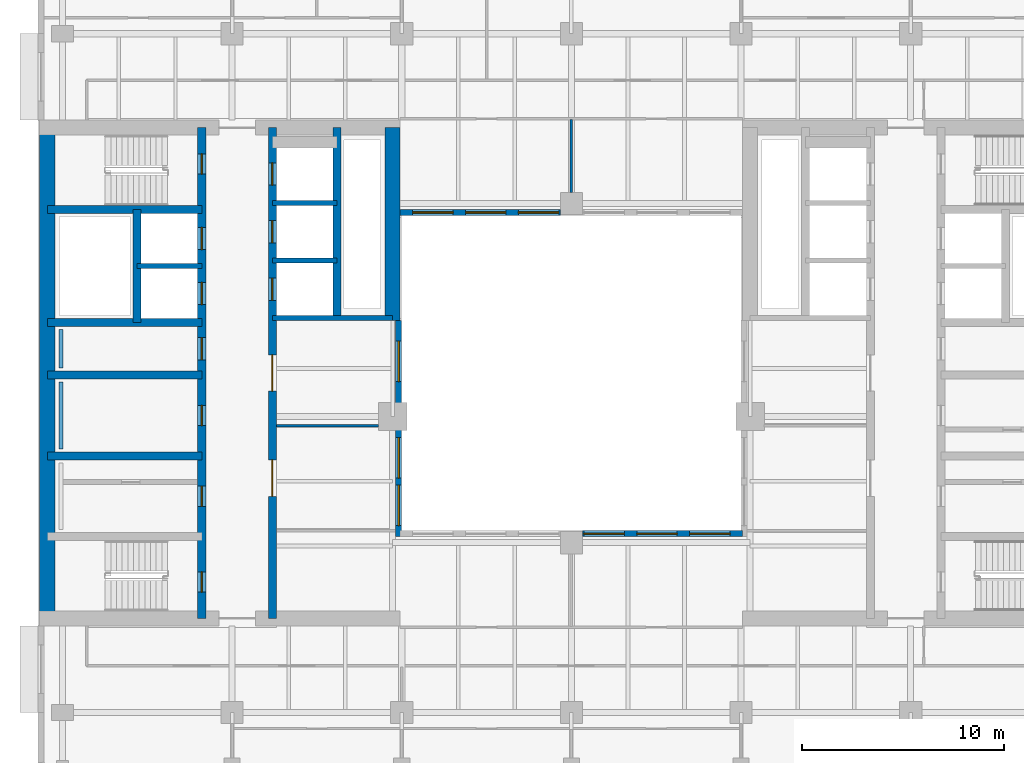
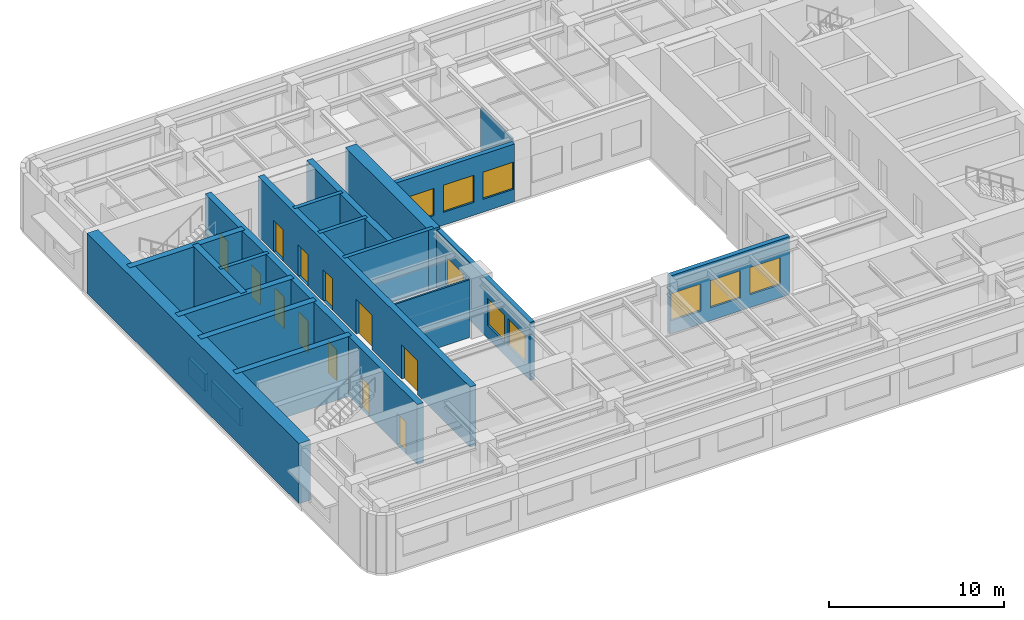
# One storey, part 4 of 11: 21 walls, 12 doors, 9 windows, 21 openings.
"""IFC4 building model written with IfcOpenShell, lengths in metres."""

from ifc_helpers import new_model, si_unit, direction, frame, frame_2d, origin, place, context, subcontext, project, spatial, rectangle, extrude, material, layer, layer_set, type_object, element, fill, save


model = new_model("IFC4")

# Units and contexts
model_context = context("Model", 3, precision=1e-05, world=origin(), true_north=direction((0.0, 1.0)))
body_context = subcontext(model_context, "Body", "Model", "MODEL_VIEW")
ifc_project = project(units=[si_unit("LENGTHUNIT", "METRE"), si_unit("AREAUNIT", "SQUARE_METRE"), si_unit("VOLUMEUNIT", "CUBIC_METRE"), si_unit("PLANEANGLEUNIT", "RADIAN"), si_unit("MASSUNIT", "GRAM", prefix="KILO")], contexts=[model_context])

# Site, building, storey
site_placement = place(None, origin())
site = spatial("IfcSite", under=ifc_project, at=site_placement, CompositionType="ELEMENT")
building_placement = place(site_placement, origin())
building = spatial("IfcBuilding", under=site, at=building_placement, Name="Claustro Exchange Tower", CompositionType="ELEMENT")
storey_placement = place(building_placement, frame((0.0, 0.0, 211.199951171875)))
storey = spatial("IfcBuildingStorey", under=building, at=storey_placement, Name="L48", CompositionType="ELEMENT", Elevation=211.199951171875)

# Walls
ifc_material_1 = material(Name="Laminated glass in aluminium frame", Category="aluminium")
ifc_layer_1 = layer(ifc_material_1, 0.1201171875)
ifc_layer_set_1 = layer_set([ifc_layer_1], Name="Laminated glass in aluminium frame")
wall_type_1 = type_object("IfcWallType", Name="P2 120 glazed partition", PredefinedType="PARTITIONING", material=ifc_layer_set_1)
wall_1_placement = place(storey_placement, frame((10.597900390625, 22.60009765625, 0.0), z_axis=(0.0, 0.0, 1.0), x_axis=(1.0, 0.0, 0.0)))
element("IfcWall", 1, at=wall_1_placement, inside=storey, type_object=wall_type_1, Name="Partition P2 L48", PredefinedType="PARTITIONING", context=body_context, shape_type="SweptSolid", body=[
    extrude(rectangle(XDim=5.052978515625, YDim=0.1201171875, at=frame_2d((2.5263671875, 0.0))), origin(), (0.0, 0.0, 1.0), 4.050048828125),
])
wall_2_placement = place(storey_placement, frame((25.199951171875, 34.14892578125, 0.0), z_axis=(0.0, 0.0, 1.0), x_axis=(0.0, 1.0, 0.0)))
element("IfcWall", 2, at=wall_2_placement, inside=storey, type_object=wall_type_1, Name="Partition P2 L48", PredefinedType="PARTITIONING", context=body_context, shape_type="SweptSolid", body=[
    extrude(rectangle(XDim=3.593017578125, YDim=0.1201171875, at=frame_2d((1.79638671875, 0.0))), origin(), (0.0, 0.0, 1.0), 3.550048828125),
])

# Wall, openings, windows
ifc_material_2 = material(Name="Concrete HA-40 (C40/50), precast, white cement, acid-etched", Category="concrete")
ifc_layer_2 = layer(ifc_material_2, 0.300048828125)
ifc_layer_set_2 = layer_set([ifc_layer_2], Name="Concrete HA-40 (C40/50), precast, white cement, acid-etched")
wall_type_2 = type_object("IfcWallType", Name="PC1 300 precast concrete pier panel", PredefinedType="SOLIDWALL", material=ifc_layer_set_2)
wall_3_placement = place(storey_placement, frame((16.64990234375, 17.10009765625, 0.0), z_axis=(0.0, 0.0, 1.0), x_axis=(0.0, 1.0, 0.0)))
wall_3 = element("IfcWall", 3, at=wall_3_placement, inside=storey, type_object=wall_type_2, Name="Precast pier panel PC1 L48", PredefinedType="SOLIDWALL", context=body_context, shape_type="SweptSolid", body=[
    extrude(rectangle(XDim=10.699951171875, YDim=0.300048828125, at=frame_2d((5.35009765625, 0.0))), origin(), (0.0, 0.0, 1.0), 4.050048828125),
])
opening_1_placement = place(wall_3_placement, frame((0.550048828125, 0.0, 0.89990234375)))
opening_1 = element("IfcOpeningElement", 4, at=opening_1_placement, cuts=wall_3, Name="Opening W4", PredefinedType="OPENING", context=body_context, shape_type="SweptSolid", body=[
    extrude(rectangle(XDim=2.0, YDim=1.89990234375, at=frame_2d((1.0, 0.949951171875))), frame((0.0, 0.159912109375, 0.0), z_axis=(0.0, -1.0, 0.0), x_axis=(1.0, 0.0, 0.0)), (0.0, 0.0, 1.0), 0.320068359375),
])
opening_2_placement = place(wall_3_placement, frame((2.89990234375, 0.0, 0.89990234375)))
opening_2 = element("IfcOpeningElement", 5, at=opening_2_placement, cuts=wall_3, Name="Opening W4", PredefinedType="OPENING", context=body_context, shape_type="SweptSolid", body=[
    extrude(rectangle(XDim=2.0, YDim=1.89990234375, at=frame_2d((1.0, 0.949951171875))), frame((0.0, 0.159912109375, 0.0), z_axis=(0.0, -1.0, 0.0), x_axis=(1.0, 0.0, 0.0)), (0.0, 0.0, 1.0), 0.320068359375),
])
opening_3_placement = place(wall_3_placement, frame((7.675048828125, 0.0, 0.89990234375)))
opening_3 = element("IfcOpeningElement", 6, at=opening_3_placement, cuts=wall_3, Name="Opening W4", PredefinedType="OPENING", context=body_context, shape_type="SweptSolid", body=[
    extrude(rectangle(XDim=2.0, YDim=1.89990234375, at=frame_2d((1.0, 0.949951171875))), frame((0.0, 0.159912109375, 0.0), z_axis=(0.0, -1.0, 0.0), x_axis=(1.0, 0.0, 0.0)), (0.0, 0.0, 1.0), 0.320068359375),
])
ifc_material_3 = material(Name="Aluminium frame, clear double glazing", Category="aluminium")
window_type = type_object("IfcWindowType", Name="W4 2000 x 1900 light well window", PartitioningType="SINGLE_PANEL", PredefinedType="WINDOW", material=ifc_material_3)
window_1_placement = place(opening_1_placement, origin())
window_1 = element("IfcWindow", 7, at=window_1_placement, inside=storey, type_object=window_type, Name="Window W4 L48", OverallHeight=1.89990234375, OverallWidth=2.0, PartitioningType="SINGLE_PANEL", PredefinedType="WINDOW", context=body_context, shape_type="SweptSolid", body=[
    extrude(rectangle(XDim=2.0, YDim=1.89990234375, at=frame_2d((1.0, 0.949951171875))), frame((0.0, 0.030029296875, 0.0), z_axis=(0.0, -1.0, 0.0), x_axis=(1.0, 0.0, 0.0)), (0.0, 0.0, 1.0), 0.06005859375),
])
fill(opening_1, window_1)
window_2_placement = place(opening_2_placement, origin())
window_2 = element("IfcWindow", 8, at=window_2_placement, inside=storey, type_object=window_type, Name="Window W4 L48", OverallHeight=1.89990234375, OverallWidth=2.0, PartitioningType="SINGLE_PANEL", PredefinedType="WINDOW", context=body_context, shape_type="SweptSolid", body=[
    extrude(rectangle(XDim=2.0, YDim=1.89990234375, at=frame_2d((1.0, 0.949951171875))), frame((0.0, 0.030029296875, 0.0), z_axis=(0.0, -1.0, 0.0), x_axis=(1.0, 0.0, 0.0)), (0.0, 0.0, 1.0), 0.06005859375),
])
fill(opening_2, window_2)
window_3_placement = place(opening_3_placement, origin())
window_3 = element("IfcWindow", 9, at=window_3_placement, inside=storey, type_object=window_type, Name="Window W4 L48", OverallHeight=1.89990234375, OverallWidth=2.0, PartitioningType="SINGLE_PANEL", PredefinedType="WINDOW", context=body_context, shape_type="SweptSolid", body=[
    extrude(rectangle(XDim=2.0, YDim=1.89990234375, at=frame_2d((1.0, 0.949951171875))), frame((0.0, 0.030029296875, 0.0), z_axis=(0.0, -1.0, 0.0), x_axis=(1.0, 0.0, 0.0)), (0.0, 0.0, 1.0), 0.06005859375),
])
fill(opening_3, window_3)

wall_4_placement = place(storey_placement, frame((25.75, 17.25, 0.0), z_axis=(0.0, 0.0, 1.0), x_axis=(1.0, 0.0, 0.0)))
wall_4 = element("IfcWall", 10, at=wall_4_placement, inside=storey, type_object=wall_type_2, Name="Precast pier panel PC1 L48", PredefinedType="SOLIDWALL", context=body_context, shape_type="SweptSolid", body=[
    extrude(rectangle(XDim=7.925048828125, YDim=0.300048828125, at=frame_2d((3.96240234375, 0.0))), origin(), (0.0, 0.0, 1.0), 4.050048828125),
])
opening_4_placement = place(wall_4_placement, frame((0.068603515625, 0.0, 0.89990234375)))
opening_4 = element("IfcOpeningElement", 11, at=opening_4_placement, cuts=wall_4, Name="Opening W4", PredefinedType="OPENING", context=body_context, shape_type="SweptSolid", body=[
    extrude(rectangle(XDim=2.0, YDim=1.89990234375, at=frame_2d((1.0, 0.949951171875))), frame((0.0, 0.159912109375, 0.0), z_axis=(0.0, -1.0, 0.0), x_axis=(1.0, 0.0, 0.0)), (0.0, 0.0, 1.0), 0.320068359375),
])
opening_5_placement = place(wall_4_placement, frame((2.6875, 0.0, 0.89990234375)))
opening_5 = element("IfcOpeningElement", 12, at=opening_5_placement, cuts=wall_4, Name="Opening W4", PredefinedType="OPENING", context=body_context, shape_type="SweptSolid", body=[
    extrude(rectangle(XDim=2.0, YDim=1.89990234375, at=frame_2d((1.0, 0.949951171875))), frame((0.0, 0.159912109375, 0.0), z_axis=(0.0, -1.0, 0.0), x_axis=(1.0, 0.0, 0.0)), (0.0, 0.0, 1.0), 0.320068359375),
])
opening_6_placement = place(wall_4_placement, frame((5.30615234375, 0.0, 0.89990234375)))
opening_6 = element("IfcOpeningElement", 13, at=opening_6_placement, cuts=wall_4, Name="Opening W4", PredefinedType="OPENING", context=body_context, shape_type="SweptSolid", body=[
    extrude(rectangle(XDim=2.0, YDim=1.89990234375, at=frame_2d((1.0, 0.949951171875))), frame((0.0, 0.159912109375, 0.0), z_axis=(0.0, -1.0, 0.0), x_axis=(1.0, 0.0, 0.0)), (0.0, 0.0, 1.0), 0.320068359375),
])
window_4_placement = place(opening_4_placement, origin())
window_4 = element("IfcWindow", 14, at=window_4_placement, inside=storey, type_object=window_type, Name="Window W4 L48", OverallHeight=1.89990234375, OverallWidth=2.0, PartitioningType="SINGLE_PANEL", PredefinedType="WINDOW", context=body_context, shape_type="SweptSolid", body=[
    extrude(rectangle(XDim=2.0, YDim=1.89990234375, at=frame_2d((1.0, 0.949951171875))), frame((0.0, 0.030029296875, 0.0), z_axis=(0.0, -1.0, 0.0), x_axis=(1.0, 0.0, 0.0)), (0.0, 0.0, 1.0), 0.06005859375),
])
fill(opening_4, window_4)
window_5_placement = place(opening_5_placement, origin())
window_5 = element("IfcWindow", 15, at=window_5_placement, inside=storey, type_object=window_type, Name="Window W4 L48", OverallHeight=1.89990234375, OverallWidth=2.0, PartitioningType="SINGLE_PANEL", PredefinedType="WINDOW", context=body_context, shape_type="SweptSolid", body=[
    extrude(rectangle(XDim=2.0, YDim=1.89990234375, at=frame_2d((1.0, 0.949951171875))), frame((0.0, 0.030029296875, 0.0), z_axis=(0.0, -1.0, 0.0), x_axis=(1.0, 0.0, 0.0)), (0.0, 0.0, 1.0), 0.06005859375),
])
fill(opening_5, window_5)
window_6_placement = place(opening_6_placement, origin())
window_6 = element("IfcWindow", 16, at=window_6_placement, inside=storey, type_object=window_type, Name="Window W4 L48", OverallHeight=1.89990234375, OverallWidth=2.0, PartitioningType="SINGLE_PANEL", PredefinedType="WINDOW", context=body_context, shape_type="SweptSolid", body=[
    extrude(rectangle(XDim=2.0, YDim=1.89990234375, at=frame_2d((1.0, 0.949951171875))), frame((0.0, 0.030029296875, 0.0), z_axis=(0.0, -1.0, 0.0), x_axis=(1.0, 0.0, 0.0)), (0.0, 0.0, 1.0), 0.06005859375),
])
fill(opening_6, window_6)

wall_5_placement = place(storey_placement, frame((16.72509765625, 33.14990234375, 0.0), z_axis=(0.0, 0.0, 1.0), x_axis=(1.0, 0.0, 0.0)))
wall_5 = element("IfcWall", 17, at=wall_5_placement, inside=storey, type_object=wall_type_2, Name="Precast pier panel PC1 L48", PredefinedType="SOLIDWALL", context=body_context, shape_type="SweptSolid", body=[
    extrude(rectangle(XDim=7.9248046875, YDim=0.300048828125, at=frame_2d((3.96240234375, 0.0))), origin(), (0.0, 0.0, 1.0), 4.050048828125),
])
opening_7_placement = place(wall_5_placement, frame((0.61865234375, 0.0, 0.89990234375)))
opening_7 = element("IfcOpeningElement", 18, at=opening_7_placement, cuts=wall_5, Name="Opening W4", PredefinedType="OPENING", context=body_context, shape_type="SweptSolid", body=[
    extrude(rectangle(XDim=2.0, YDim=1.89990234375, at=frame_2d((1.0, 0.949951171875))), frame((0.0, 0.159912109375, 0.0), z_axis=(0.0, -1.0, 0.0), x_axis=(1.0, 0.0, 0.0)), (0.0, 0.0, 1.0), 0.320068359375),
])
opening_8_placement = place(wall_5_placement, frame((3.237548828125, 0.0, 0.89990234375)))
opening_8 = element("IfcOpeningElement", 19, at=opening_8_placement, cuts=wall_5, Name="Opening W4", PredefinedType="OPENING", context=body_context, shape_type="SweptSolid", body=[
    extrude(rectangle(XDim=2.0, YDim=1.89990234375, at=frame_2d((1.0, 0.949951171875))), frame((0.0, 0.159912109375, 0.0), z_axis=(0.0, -1.0, 0.0), x_axis=(1.0, 0.0, 0.0)), (0.0, 0.0, 1.0), 0.320068359375),
])
opening_9_placement = place(wall_5_placement, frame((5.856201171875, 0.0, 0.89990234375)))
opening_9 = element("IfcOpeningElement", 20, at=opening_9_placement, cuts=wall_5, Name="Opening W4", PredefinedType="OPENING", context=body_context, shape_type="SweptSolid", body=[
    extrude(rectangle(XDim=2.0, YDim=1.89990234375, at=frame_2d((1.0, 0.949951171875))), frame((0.0, 0.159912109375, 0.0), z_axis=(0.0, -1.0, 0.0), x_axis=(1.0, 0.0, 0.0)), (0.0, 0.0, 1.0), 0.320068359375),
])
window_7_placement = place(opening_7_placement, origin())
window_7 = element("IfcWindow", 21, at=window_7_placement, inside=storey, type_object=window_type, Name="Window W4 L48", OverallHeight=1.89990234375, OverallWidth=2.0, PartitioningType="SINGLE_PANEL", PredefinedType="WINDOW", context=body_context, shape_type="SweptSolid", body=[
    extrude(rectangle(XDim=2.0, YDim=1.89990234375, at=frame_2d((1.0, 0.949951171875))), frame((0.0, 0.030029296875, 0.0), z_axis=(0.0, -1.0, 0.0), x_axis=(1.0, 0.0, 0.0)), (0.0, 0.0, 1.0), 0.06005859375),
])
fill(opening_7, window_7)
window_8_placement = place(opening_8_placement, origin())
window_8 = element("IfcWindow", 22, at=window_8_placement, inside=storey, type_object=window_type, Name="Window W4 L48", OverallHeight=1.89990234375, OverallWidth=2.0, PartitioningType="SINGLE_PANEL", PredefinedType="WINDOW", context=body_context, shape_type="SweptSolid", body=[
    extrude(rectangle(XDim=2.0, YDim=1.89990234375, at=frame_2d((1.0, 0.949951171875))), frame((0.0, 0.030029296875, 0.0), z_axis=(0.0, -1.0, 0.0), x_axis=(1.0, 0.0, 0.0)), (0.0, 0.0, 1.0), 0.06005859375),
])
fill(opening_8, window_8)
window_9_placement = place(opening_9_placement, origin())
window_9 = element("IfcWindow", 23, at=window_9_placement, inside=storey, type_object=window_type, Name="Window W4 L48", OverallHeight=1.89990234375, OverallWidth=2.0, PartitioningType="SINGLE_PANEL", PredefinedType="WINDOW", context=body_context, shape_type="SweptSolid", body=[
    extrude(rectangle(XDim=2.0, YDim=1.89990234375, at=frame_2d((1.0, 0.949951171875))), frame((0.0, 0.030029296875, 0.0), z_axis=(0.0, -1.0, 0.0), x_axis=(1.0, 0.0, 0.0)), (0.0, 0.0, 1.0), 0.06005859375),
])
fill(opening_9, window_9)

# Walls
ifc_material_4 = material(Name="Gypsum board on steel studs, tiled", Category="steel")
ifc_layer_3 = layer(ifc_material_4, 0.199951171875)
ifc_layer_set_3 = layer_set([ifc_layer_3], Name="Gypsum board on steel studs, tiled")
wall_type_3 = type_object("IfcWallType", Name="PW1 200 WC duct wall", PredefinedType="PLUMBINGWALL", material=ifc_layer_set_3)
wall_6_placement = place(storey_placement, frame((-0.074951171875, 21.449951171875, 0.0), z_axis=(0.0, 0.0, 1.0), x_axis=(0.0, 1.0, 0.0)))
element("IfcWall", 24, at=wall_6_placement, inside=storey, type_object=wall_type_3, Name="WC duct wall PW1 L48", PredefinedType="PLUMBINGWALL", context=body_context, shape_type="SweptSolid", body=[
    extrude(rectangle(XDim=3.300048828125, YDim=0.199951171875, at=frame_2d((1.64990234375, 0.0))), origin(), (0.0, 0.0, 1.0), 1.199951171875),
])
wall_7_placement = place(storey_placement, frame((-0.074951171875, 25.449951171875, 0.0), z_axis=(0.0, 0.0, 1.0), x_axis=(0.0, 1.0, 0.0)))
element("IfcWall", 25, at=wall_7_placement, inside=storey, type_object=wall_type_3, Name="WC duct wall PW1 L48", PredefinedType="PLUMBINGWALL", context=body_context, shape_type="SweptSolid", body=[
    extrude(rectangle(XDim=1.900146484375, YDim=0.199951171875, at=frame_2d((0.9501953125, 0.0))), origin(), (0.0, 0.0, 1.0), 1.199951171875),
])
ifc_material_5 = material(Name="Concrete HA-70 (C70/85)", Category="concrete")
ifc_layer_4 = layer(ifc_material_5, 0.75)
ifc_layer_set_4 = layer_set([ifc_layer_4], Name="Concrete HA-70 (C70/85)")
wall_type_4 = type_object("IfcWallType", Name="SW2X 750 exposed core shear wall, board-marked face", PredefinedType="SHEAR", material=ifc_layer_set_4)
wall_8_placement = place(storey_placement, frame((-0.75, 13.050048828125, 0.0), z_axis=(0.0, 0.0, 1.0), x_axis=(0.0, 1.0, 0.0)))
element("IfcWall", 26, at=wall_8_placement, inside=storey, type_object=wall_type_4, Name="Core wall SW2X W core W face L48", PredefinedType="SHEAR", context=body_context, shape_type="SweptSolid", body=[
    extrude(rectangle(XDim=24.300048828125, YDim=0.75, at=frame_2d((12.14990234375, 0.0))), origin(), (0.0, 0.0, 1.0), 4.199951171875),
])
wall_9_placement = place(storey_placement, frame((16.35009765625, 27.800048828125, 0.0), z_axis=(0.0, 0.0, 1.0), x_axis=(0.0, 1.0, 0.0)))
element("IfcWall", 27, at=wall_9_placement, inside=storey, type_object=wall_type_4, Name="Core wall SW2X W core E face L48", PredefinedType="SHEAR", context=body_context, shape_type="SweptSolid", body=[
    extrude(rectangle(XDim=9.550048828125, YDim=0.75, at=frame_2d((4.77490234375, 0.0))), origin(), (0.0, 0.0, 1.0), 4.199951171875),
])

# Wall, openings, doors
ifc_material_6 = material(Name="Concrete HA-50 (C50/60)", Category="concrete")
ifc_layer_5 = layer(ifc_material_6, 0.39990234375)
ifc_layer_set_5 = layer_set([ifc_layer_5], Name="Concrete HA-50 (C50/60)")
wall_type_5 = type_object("IfcWallType", Name="SW4 400 internal core wall", PredefinedType="SHEAR", material=ifc_layer_set_5)
wall_10_placement = place(storey_placement, frame((6.89990234375, 13.050048828125, 0.0), z_axis=(0.0, 0.0, 1.0), x_axis=(0.0, 1.0, 0.0)))
wall_10 = element("IfcWall", 28, at=wall_10_placement, inside=storey, type_object=wall_type_5, Name="Internal core wall SW4 W core L48", PredefinedType="SHEAR", context=body_context, shape_type="SweptSolid", body=[
    extrude(rectangle(XDim=24.300048828125, YDim=0.39990234375, at=frame_2d((12.14990234375, 0.0))), origin(), (0.0, 0.0, 1.0), 4.199951171875),
])
opening_10_placement = place(wall_10_placement, frame((1.300048828125, 0.0, 0.0)))
opening_10 = element("IfcOpeningElement", 29, at=opening_10_placement, cuts=wall_10, Name="Opening D4", PredefinedType="OPENING", context=body_context, shape_type="SweptSolid", body=[
    extrude(rectangle(XDim=1.0, YDim=2.199951171875, at=frame_2d((0.5, 1.10009765625))), frame((0.0, 0.2099609375, 0.0), z_axis=(0.0, -1.0, 0.0), x_axis=(1.0, 0.0, 0.0)), (0.0, 0.0, 1.0), 0.419921875),
])
opening_11_placement = place(wall_10_placement, frame((22.0, 0.0, 0.0)))
opening_11 = element("IfcOpeningElement", 30, at=opening_11_placement, cuts=wall_10, Name="Opening D4", PredefinedType="OPENING", context=body_context, shape_type="SweptSolid", body=[
    extrude(rectangle(XDim=1.0, YDim=2.199951171875, at=frame_2d((0.5, 1.10009765625))), frame((0.0, 0.2099609375, 0.0), z_axis=(0.0, -1.0, 0.0), x_axis=(1.0, 0.0, 0.0)), (0.0, 0.0, 1.0), 0.419921875),
])
opening_12_placement = place(wall_10_placement, frame((5.550048828125, 0.0, 0.0)))
opening_12 = element("IfcOpeningElement", 31, at=opening_12_placement, cuts=wall_10, Name="Opening D1", PredefinedType="OPENING", context=body_context, shape_type="SweptSolid", body=[
    extrude(rectangle(XDim=1.0, YDim=2.199951171875, at=frame_2d((0.5, 1.10009765625))), frame((0.0, 0.2099609375, 0.0), z_axis=(0.0, -1.0, 0.0), x_axis=(1.0, 0.0, 0.0)), (0.0, 0.0, 1.0), 0.419921875),
])
opening_13_placement = place(wall_10_placement, frame((9.550048828125, 0.0, 0.0)))
opening_13 = element("IfcOpeningElement", 32, at=opening_13_placement, cuts=wall_10, Name="Opening D1", PredefinedType="OPENING", context=body_context, shape_type="SweptSolid", body=[
    extrude(rectangle(XDim=1.0, YDim=2.199951171875, at=frame_2d((0.5, 1.10009765625))), frame((0.0, 0.2099609375, 0.0), z_axis=(0.0, -1.0, 0.0), x_axis=(1.0, 0.0, 0.0)), (0.0, 0.0, 1.0), 0.419921875),
])
opening_14_placement = place(wall_10_placement, frame((12.800048828125, 0.0, 0.0)))
opening_14 = element("IfcOpeningElement", 33, at=opening_14_placement, cuts=wall_10, Name="Opening D10", PredefinedType="OPENING", context=body_context, shape_type="SweptSolid", body=[
    extrude(rectangle(XDim=1.10009765625, YDim=2.199951171875, at=frame_2d((0.550048828125, 1.10009765625))), frame((0.0, 0.2099609375, 0.0), z_axis=(0.0, -1.0, 0.0), x_axis=(1.0, 0.0, 0.0)), (0.0, 0.0, 1.0), 0.419921875),
])
opening_15_placement = place(wall_10_placement, frame((15.53759765625, 0.0, 0.0)))
opening_15 = element("IfcOpeningElement", 34, at=opening_15_placement, cuts=wall_10, Name="Opening LD", PredefinedType="OPENING", context=body_context, shape_type="SweptSolid", body=[
    extrude(rectangle(XDim=1.10009765625, YDim=2.199951171875, at=frame_2d((0.550048828125, 1.10009765625))), frame((0.0, 0.2099609375, 0.0), z_axis=(0.0, -1.0, 0.0), x_axis=(1.0, 0.0, 0.0)), (0.0, 0.0, 1.0), 0.419921875),
])
opening_16_placement = place(wall_10_placement, frame((18.262451171875, 0.0, 0.0)))
opening_16 = element("IfcOpeningElement", 35, at=opening_16_placement, cuts=wall_10, Name="Opening LD", PredefinedType="OPENING", context=body_context, shape_type="SweptSolid", body=[
    extrude(rectangle(XDim=1.10009765625, YDim=2.199951171875, at=frame_2d((0.550048828125, 1.10009765625))), frame((0.0, 0.2099609375, 0.0), z_axis=(0.0, -1.0, 0.0), x_axis=(1.0, 0.0, 0.0)), (0.0, 0.0, 1.0), 0.419921875),
])
ifc_material_7 = material(Name="Timber door, oak veneer", Category="wood")
door_type_1 = type_object("IfcDoorType", Name="D1 1000 x 2200 single door", OperationType="SINGLE_SWING_LEFT", PredefinedType="DOOR", material=ifc_material_7)
door_1_placement = place(opening_12_placement, origin())
door_1 = element("IfcDoor", 36, at=door_1_placement, inside=storey, type_object=door_type_1, Name="Door D1 L48", OperationType="SINGLE_SWING_RIGHT", OverallHeight=2.199951171875, OverallWidth=1.0, PredefinedType="DOOR", context=body_context, shape_type="SweptSolid", body=[
    extrude(rectangle(XDim=1.0, YDim=2.199951171875, at=frame_2d((0.5, 1.10009765625))), frame((0.0, 0.02490234375, 0.0), z_axis=(0.0, -1.0, 0.0), x_axis=(1.0, 0.0, 0.0)), (0.0, 0.0, 1.0), 0.050048828125),
])
fill(opening_12, door_1)
door_2_placement = place(opening_13_placement, origin())
door_2 = element("IfcDoor", 37, at=door_2_placement, inside=storey, type_object=door_type_1, Name="Door D1 L48", OperationType="SINGLE_SWING_RIGHT", OverallHeight=2.199951171875, OverallWidth=1.0, PredefinedType="DOOR", context=body_context, shape_type="SweptSolid", body=[
    extrude(rectangle(XDim=1.0, YDim=2.199951171875, at=frame_2d((0.5, 1.10009765625))), frame((0.0, 0.02490234375, 0.0), z_axis=(0.0, -1.0, 0.0), x_axis=(1.0, 0.0, 0.0)), (0.0, 0.0, 1.0), 0.050048828125),
])
fill(opening_13, door_2)
ifc_material_8 = material(Name="Timber door, oak veneer", Category="wood")
door_type_2 = type_object("IfcDoorType", Name="D10 1100 x 2200 accessible WC door", OperationType="SINGLE_SWING_LEFT", PredefinedType="DOOR", material=ifc_material_8)
door_3_placement = place(opening_14_placement, frame((1.10009765625, 0.0, 0.0), z_axis=(0.0, 0.0, 1.0), x_axis=(-1.0, 0.0, 0.0)))
door_3 = element("IfcDoor", 38, at=door_3_placement, inside=storey, type_object=door_type_2, Name="Accessible WC door D10 L48", OperationType="SINGLE_SWING_LEFT", OverallHeight=2.199951171875, OverallWidth=1.10009765625, PredefinedType="DOOR", context=body_context, shape_type="SweptSolid", body=[
    extrude(rectangle(XDim=1.10009765625, YDim=2.199951171875, at=frame_2d((0.550048828125, 1.10009765625))), frame((0.0, 0.02490234375, 0.0), z_axis=(0.0, -1.0, 0.0), x_axis=(1.0, 0.0, 0.0)), (0.0, 0.0, 1.0), 0.050048828125),
])
fill(opening_14, door_3)
ifc_material_9 = material(Name="Steel fire door, painted", Category="steel")
door_type_3 = type_object("IfcDoorType", Name="D4 1000 x 2200 fire-rated stair door", OperationType="SINGLE_SWING_LEFT", PredefinedType="DOOR", material=ifc_material_9)
door_4_placement = place(opening_10_placement, origin())
door_4 = element("IfcDoor", 39, at=door_4_placement, inside=storey, type_object=door_type_3, Name="Stair door D4 L48", OperationType="SINGLE_SWING_LEFT", OverallHeight=2.199951171875, OverallWidth=1.0, PredefinedType="DOOR", context=body_context, shape_type="SweptSolid", body=[
    extrude(rectangle(XDim=1.0, YDim=2.199951171875, at=frame_2d((0.5, 1.10009765625))), frame((0.0, 0.02490234375, 0.0), z_axis=(0.0, -1.0, 0.0), x_axis=(1.0, 0.0, 0.0)), (0.0, 0.0, 1.0), 0.050048828125),
])
fill(opening_10, door_4)
door_5_placement = place(opening_11_placement, origin())
door_5 = element("IfcDoor", 40, at=door_5_placement, inside=storey, type_object=door_type_3, Name="Stair door D4 L48", OperationType="SINGLE_SWING_RIGHT", OverallHeight=2.199951171875, OverallWidth=1.0, PredefinedType="DOOR", context=body_context, shape_type="SweptSolid", body=[
    extrude(rectangle(XDim=1.0, YDim=2.199951171875, at=frame_2d((0.5, 1.10009765625))), frame((0.0, 0.02490234375, 0.0), z_axis=(0.0, -1.0, 0.0), x_axis=(1.0, 0.0, 0.0)), (0.0, 0.0, 1.0), 0.050048828125),
])
fill(opening_11, door_5)
ifc_material_10 = material(Name="Stainless steel sliding door", Category="steel")
door_type_4 = type_object("IfcDoorType", Name="LD 1100 x 2200 lift landing door", OperationType="DOUBLE_DOOR_SLIDING", PredefinedType="DOOR", material=ifc_material_10)
door_6_placement = place(opening_15_placement, origin())
door_6 = element("IfcDoor", 41, at=door_6_placement, inside=storey, type_object=door_type_4, Name="Lift landing door LEW1 LD L48", OperationType="DOUBLE_DOOR_SLIDING", OverallHeight=2.199951171875, OverallWidth=1.10009765625, PredefinedType="DOOR", context=body_context, shape_type="SweptSolid", body=[
    extrude(rectangle(XDim=1.10009765625, YDim=2.199951171875, at=frame_2d((0.550048828125, 1.10009765625))), frame((0.0, 0.02490234375, 0.0), z_axis=(0.0, -1.0, 0.0), x_axis=(1.0, 0.0, 0.0)), (0.0, 0.0, 1.0), 0.050048828125),
])
fill(opening_15, door_6)
door_7_placement = place(opening_16_placement, origin())
door_7 = element("IfcDoor", 42, at=door_7_placement, inside=storey, type_object=door_type_4, Name="Lift landing door LEW2 LD L48", OperationType="DOUBLE_DOOR_SLIDING", OverallHeight=2.199951171875, OverallWidth=1.10009765625, PredefinedType="DOOR", context=body_context, shape_type="SweptSolid", body=[
    extrude(rectangle(XDim=1.10009765625, YDim=2.199951171875, at=frame_2d((0.550048828125, 1.10009765625))), frame((0.0, 0.02490234375, 0.0), z_axis=(0.0, -1.0, 0.0), x_axis=(1.0, 0.0, 0.0)), (0.0, 0.0, 1.0), 0.050048828125),
])
fill(opening_16, door_7)

wall_11_placement = place(storey_placement, frame((10.39990234375, 13.050048828125, 0.0), z_axis=(0.0, 0.0, 1.0), x_axis=(0.0, 1.0, 0.0)))
wall_11 = element("IfcWall", 43, at=wall_11_placement, inside=storey, type_object=wall_type_5, Name="Internal core wall SW4 W core L48", PredefinedType="SHEAR", context=body_context, shape_type="SweptSolid", body=[
    extrude(rectangle(XDim=24.300048828125, YDim=0.39990234375, at=frame_2d((12.14990234375, 0.0))), origin(), (0.0, 0.0, 1.0), 4.199951171875),
])
opening_17_placement = place(wall_11_placement, frame((15.75, 0.0, 0.0)))
opening_17 = element("IfcOpeningElement", 44, at=opening_17_placement, cuts=wall_11, Name="Opening LD", PredefinedType="OPENING", context=body_context, shape_type="SweptSolid", body=[
    extrude(rectangle(XDim=1.10009765625, YDim=2.199951171875, at=frame_2d((0.550048828125, 1.10009765625))), frame((0.0, 0.2099609375, 0.0), z_axis=(0.0, -1.0, 0.0), x_axis=(1.0, 0.0, 0.0)), (0.0, 0.0, 1.0), 0.419921875),
])
opening_18_placement = place(wall_11_placement, frame((18.60009765625, 0.0, 0.0)))
opening_18 = element("IfcOpeningElement", 45, at=opening_18_placement, cuts=wall_11, Name="Opening LD", PredefinedType="OPENING", context=body_context, shape_type="SweptSolid", body=[
    extrude(rectangle(XDim=1.10009765625, YDim=2.199951171875, at=frame_2d((0.550048828125, 1.10009765625))), frame((0.0, 0.2099609375, 0.0), z_axis=(0.0, -1.0, 0.0), x_axis=(1.0, 0.0, 0.0)), (0.0, 0.0, 1.0), 0.419921875),
])
opening_19_placement = place(wall_11_placement, frame((21.449951171875, 0.0, 0.0)))
opening_19 = element("IfcOpeningElement", 46, at=opening_19_placement, cuts=wall_11, Name="Opening LD", PredefinedType="OPENING", context=body_context, shape_type="SweptSolid", body=[
    extrude(rectangle(XDim=1.10009765625, YDim=2.199951171875, at=frame_2d((0.550048828125, 1.10009765625))), frame((0.0, 0.2099609375, 0.0), z_axis=(0.0, -1.0, 0.0), x_axis=(1.0, 0.0, 0.0)), (0.0, 0.0, 1.0), 0.419921875),
])
opening_20_placement = place(wall_11_placement, frame((6.050048828125, 0.0, 0.0)))
opening_20 = element("IfcOpeningElement", 47, at=opening_20_placement, cuts=wall_11, Name="Opening D3", PredefinedType="OPENING", context=body_context, shape_type="SweptSolid", body=[
    extrude(rectangle(XDim=1.800048828125, YDim=2.39990234375, at=frame_2d((0.89990234375, 1.199951171875))), frame((0.0, 0.2099609375, 0.0), z_axis=(0.0, -1.0, 0.0), x_axis=(1.0, 0.0, 0.0)), (0.0, 0.0, 1.0), 0.419921875),
])
opening_21_placement = place(wall_11_placement, frame((11.25, 0.0, 0.0)))
opening_21 = element("IfcOpeningElement", 48, at=opening_21_placement, cuts=wall_11, Name="Opening D3", PredefinedType="OPENING", context=body_context, shape_type="SweptSolid", body=[
    extrude(rectangle(XDim=1.800048828125, YDim=2.39990234375, at=frame_2d((0.89990234375, 1.199951171875))), frame((0.0, 0.2099609375, 0.0), z_axis=(0.0, -1.0, 0.0), x_axis=(1.0, 0.0, 0.0)), (0.0, 0.0, 1.0), 0.419921875),
])
ifc_material_11 = material(Name="Steel fire door, painted", Category="steel")
door_type_5 = type_object("IfcDoorType", Name="D3 1800 x 2400 fire-rated lobby double door", OperationType="DOUBLE_DOOR_SINGLE_SWING", PredefinedType="DOOR", material=ifc_material_11)
door_8_placement = place(opening_20_placement, frame((1.800048828125, 0.0, 0.0), z_axis=(0.0, 0.0, 1.0), x_axis=(-1.0, 0.0, 0.0)))
door_8 = element("IfcDoor", 49, at=door_8_placement, inside=storey, type_object=door_type_5, Name="Core zone door D3 L48", OperationType="DOUBLE_DOOR_SINGLE_SWING", OverallHeight=2.39990234375, OverallWidth=1.800048828125, PredefinedType="DOOR", context=body_context, shape_type="SweptSolid", body=[
    extrude(rectangle(XDim=1.800048828125, YDim=2.39990234375, at=frame_2d((0.89990234375, 1.199951171875))), frame((0.0, 0.02490234375, 0.0), z_axis=(0.0, -1.0, 0.0), x_axis=(1.0, 0.0, 0.0)), (0.0, 0.0, 1.0), 0.050048828125),
])
fill(opening_20, door_8)
door_9_placement = place(opening_21_placement, frame((1.800048828125, 0.0, 0.0), z_axis=(0.0, 0.0, 1.0), x_axis=(-1.0, 0.0, 0.0)))
door_9 = element("IfcDoor", 50, at=door_9_placement, inside=storey, type_object=door_type_5, Name="Core zone door D3 L48", OperationType="DOUBLE_DOOR_SINGLE_SWING", OverallHeight=2.39990234375, OverallWidth=1.800048828125, PredefinedType="DOOR", context=body_context, shape_type="SweptSolid", body=[
    extrude(rectangle(XDim=1.800048828125, YDim=2.39990234375, at=frame_2d((0.89990234375, 1.199951171875))), frame((0.0, 0.02490234375, 0.0), z_axis=(0.0, -1.0, 0.0), x_axis=(1.0, 0.0, 0.0)), (0.0, 0.0, 1.0), 0.050048828125),
])
fill(opening_21, door_9)
door_10_placement = place(opening_17_placement, origin())
door_10 = element("IfcDoor", 51, at=door_10_placement, inside=storey, type_object=door_type_4, Name="Lift landing door LHW1 LD L48", OperationType="DOUBLE_DOOR_SLIDING", OverallHeight=2.199951171875, OverallWidth=1.10009765625, PredefinedType="DOOR", context=body_context, shape_type="SweptSolid", body=[
    extrude(rectangle(XDim=1.10009765625, YDim=2.199951171875, at=frame_2d((0.550048828125, 1.10009765625))), frame((0.0, 0.02490234375, 0.0), z_axis=(0.0, -1.0, 0.0), x_axis=(1.0, 0.0, 0.0)), (0.0, 0.0, 1.0), 0.050048828125),
])
fill(opening_17, door_10)
door_11_placement = place(opening_18_placement, origin())
door_11 = element("IfcDoor", 52, at=door_11_placement, inside=storey, type_object=door_type_4, Name="Lift landing door LHW2 LD L48", OperationType="DOUBLE_DOOR_SLIDING", OverallHeight=2.199951171875, OverallWidth=1.10009765625, PredefinedType="DOOR", context=body_context, shape_type="SweptSolid", body=[
    extrude(rectangle(XDim=1.10009765625, YDim=2.199951171875, at=frame_2d((0.550048828125, 1.10009765625))), frame((0.0, 0.02490234375, 0.0), z_axis=(0.0, -1.0, 0.0), x_axis=(1.0, 0.0, 0.0)), (0.0, 0.0, 1.0), 0.050048828125),
])
fill(opening_18, door_11)
door_12_placement = place(opening_19_placement, origin())
door_12 = element("IfcDoor", 53, at=door_12_placement, inside=storey, type_object=door_type_4, Name="Lift landing door LSW1 LD L48", OperationType="DOUBLE_DOOR_SLIDING", OverallHeight=2.199951171875, OverallWidth=1.10009765625, PredefinedType="DOOR", context=body_context, shape_type="SweptSolid", body=[
    extrude(rectangle(XDim=1.10009765625, YDim=2.199951171875, at=frame_2d((0.550048828125, 1.10009765625))), frame((0.0, 0.02490234375, 0.0), z_axis=(0.0, -1.0, 0.0), x_axis=(1.0, 0.0, 0.0)), (0.0, 0.0, 1.0), 0.050048828125),
])
fill(opening_19, door_12)

# Walls
wall_12_placement = place(storey_placement, frame((13.60009765625, 27.925048828125, 0.0), z_axis=(0.0, 0.0, 1.0), x_axis=(0.0, 1.0, 0.0)))
element("IfcWall", 54, at=wall_12_placement, inside=storey, type_object=wall_type_5, Name="Internal core wall SW4 W core L48", PredefinedType="SHEAR", context=body_context, shape_type="SweptSolid", body=[
    extrude(rectangle(XDim=9.425048828125, YDim=0.39990234375, at=frame_2d((4.71240234375, 0.0))), origin(), (0.0, 0.0, 1.0), 4.199951171875),
])
for number, where, z_axis, x_axis, name in (
    (55, (-0.75, 21.10009765625, 0.0), (0.0, 0.0, 1.0), (1.0, 0.0, 0.0), "Internal core wall SW4 W core L48"),
    (56, (-0.75, 25.10009765625, 0.0), (0.0, 0.0, 1.0), (1.0, 0.0, 0.0), "Internal core wall SW4 W core L48"),
    (57, (-0.75, 27.699951171875, 0.0), (0.0, 0.0, 1.0), (1.0, 0.0, 0.0), "Internal core wall SW4 W core L48"),
    (58, (-0.75, 33.300048828125, 0.0), (0.0, 0.0, 1.0), (1.0, 0.0, 0.0), "Internal core wall SW4 W core L48"),
):
    element("IfcWall", number, at=place(storey_placement, frame(where, z_axis=z_axis, x_axis=x_axis)), inside=storey, type_object=wall_type_5, Name=name, PredefinedType="SHEAR", context=body_context, shape_type="SweptSolid", body=[
        extrude(rectangle(XDim=7.64990234375, YDim=0.39990234375, at=frame_2d((3.824951171875, 0.0))), origin(), (0.0, 0.0, 1.0), 4.199951171875),
    ])
wall_13_placement = place(storey_placement, frame((3.699951171875, 27.699951171875, 0.0), z_axis=(0.0, 0.0, 1.0), x_axis=(0.0, 1.0, 0.0)))
element("IfcWall", 59, at=wall_13_placement, inside=storey, type_object=wall_type_5, Name="Internal core wall SW4 W core L48", PredefinedType="SHEAR", context=body_context, shape_type="SweptSolid", body=[
    extrude(rectangle(XDim=5.60009765625, YDim=0.39990234375, at=frame_2d((2.800048828125, 0.0))), origin(), (0.0, 0.0, 1.0), 4.199951171875),
])
ifc_material_12 = material(Name="Concrete HA-50 (C50/60)", Category="concrete")
ifc_layer_6 = layer(ifc_material_12, 0.25)
ifc_layer_set_6 = layer_set([ifc_layer_6], Name="Concrete HA-50 (C50/60)")
wall_type_6 = type_object("IfcWallType", Name="SW5 250 lift shaft divider wall", PredefinedType="SHEAR", material=ifc_layer_set_6)
wall_14_placement = place(storey_placement, frame((3.699951171875, 30.5, 0.0), z_axis=(0.0, 0.0, 1.0), x_axis=(1.0, 0.0, 0.0)))
element("IfcWall", 60, at=wall_14_placement, inside=storey, type_object=wall_type_6, Name="Lift shaft wall W core L48", PredefinedType="SHEAR", context=body_context, shape_type="SweptSolid", body=[
    extrude(rectangle(XDim=3.199951171875, YDim=0.25, at=frame_2d((1.60009765625, 0.0))), origin(), (0.0, 0.0, 1.0), 4.199951171875),
])
wall_15_placement = place(storey_placement, frame((10.39990234375, 27.925048828125, 0.0), z_axis=(0.0, 0.0, 1.0), x_axis=(1.0, 0.0, 0.0)))
element("IfcWall", 61, at=wall_15_placement, inside=storey, type_object=wall_type_6, Name="Core step wall W core L48", PredefinedType="SHEAR", context=body_context, shape_type="SweptSolid", body=[
    extrude(rectangle(XDim=5.9501953125, YDim=0.25, at=frame_2d((2.97509765625, 0.0))), origin(), (0.0, 0.0, 1.0), 4.199951171875),
])
for number, where, z_axis, x_axis, name in (
    (62, (10.39990234375, 30.77490234375, 0.0), (0.0, 0.0, 1.0), (1.0, 0.0, 0.0), "Lift shaft wall W core L48"),
    (63, (10.39990234375, 33.625, 0.0), (0.0, 0.0, 1.0), (1.0, 0.0, 0.0), "Lift shaft wall W core L48"),
):
    element("IfcWall", number, at=place(storey_placement, frame(where, z_axis=z_axis, x_axis=x_axis)), inside=storey, type_object=wall_type_6, Name=name, PredefinedType="SHEAR", context=body_context, shape_type="SweptSolid", body=[
        extrude(rectangle(XDim=3.2001953125, YDim=0.25, at=frame_2d((1.60009765625, 0.0))), origin(), (0.0, 0.0, 1.0), 4.199951171875),
    ])

save(model, "model.ifc")
